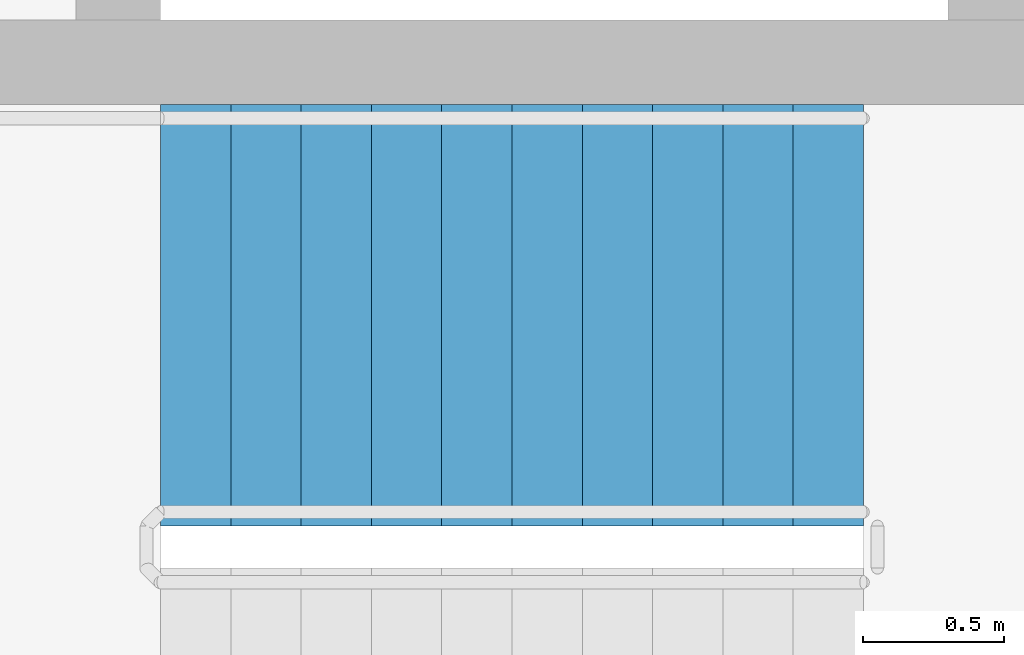
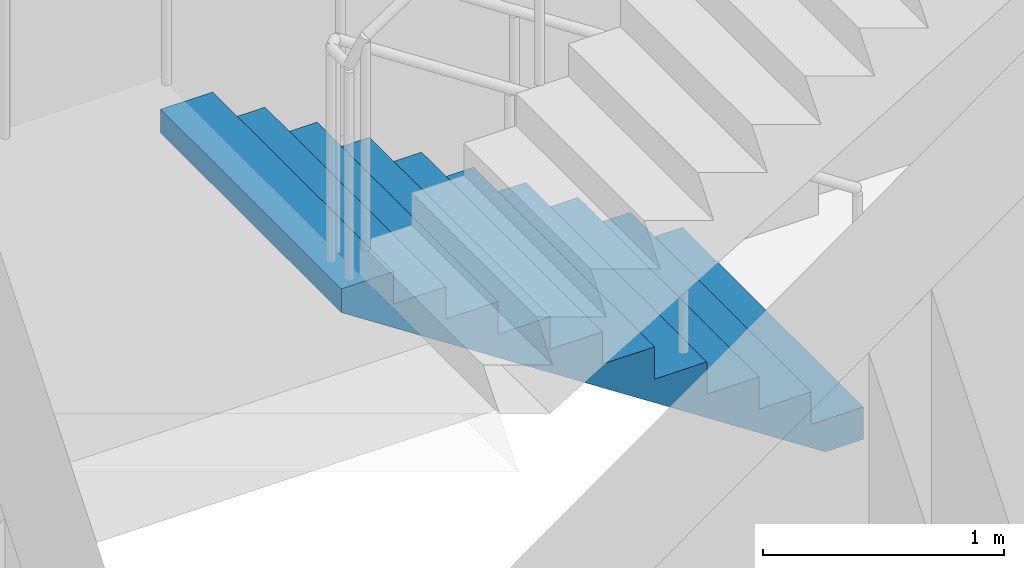
# One storey, part 11 of 12: 1 stair flight, 1 element without a shape of its own.
"""IFC4 building model written with IfcOpenShell, lengths in metres."""

import ifcopenshell
import ifcopenshell.guid

model = None  # the IFC model being written
_history = None  # IfcOwnerHistory: only IFC2X3 demands one
_inside = {}  # id of a spatial element -> (the spatial element, [elements in it])
_under = {}  # id of a project, library or spatial element -> (it, [spatial elements below it])
_declared = {}  # id of a project -> (the project, [libraries it declares])
_typed = {}  # id of a type object -> (the type object, [elements of that type])
_made_of = {}  # id of a material, layer set ... -> (it, [elements and type objects made of it])


def new_model(schema):
    """Start an empty IFC model of exactly this schema.

    Asked for "IFC4X3", IfcOpenShell would pick the latest addendum, in which some entities
    have other attributes; the version numbers below select the first issue.
    IFC2X3 requires an IfcOwnerHistory on every rooted entity: one is made here for all.
    """
    global model, _history
    if schema == "IFC4X3":
        model = ifcopenshell.file(schema_version=(4, 3, 0, 0))
    else:
        model = ifcopenshell.file(schema=schema)
    _inside.clear()
    _under.clear()
    _declared.clear()
    _typed.clear()
    _made_of.clear()
    _history = None
    if model.schema == "IFC2X3":
        org = make("IfcOrganization", Name="unknown")
        user = make(
            "IfcPersonAndOrganization",
            ThePerson=make("IfcPerson", FamilyName="unknown"),
            TheOrganization=org,
        )
        app = make(
            "IfcApplication",
            ApplicationDeveloper=org,
            Version="unknown",
            ApplicationFullName="unknown",
            ApplicationIdentifier="unknown",
        )
        _history = make(
            "IfcOwnerHistory",
            OwningUser=user,
            OwningApplication=app,
            ChangeAction="ADDED",
            CreationDate=0,
        )
    return model


def make(cls, **values):
    """One entity of the class cls with the attributes given. An attribute that is None is left unset."""
    return model.create_entity(
        cls, **{name: value for name, value in values.items() if value is not None}
    )


def rooted(cls, **values):
    """An entity with a GlobalId (a new one), such as an element, a storey or a relation."""
    return make(cls, GlobalId=ifcopenshell.guid.new(), OwnerHistory=_history, **values)


def si_unit(unit_type, name, prefix=None):
    """IfcSIUnit, for example si_unit("LENGTHUNIT", "METRE", prefix="MILLI")."""
    return make("IfcSIUnit", UnitType=unit_type, Prefix=prefix, Name=name)


def assignment(units):
    """IfcUnitAssignment: the units of a project."""
    return None if units is None else make("IfcUnitAssignment", Units=units)


def point(xyz):
    """IfcCartesianPoint."""
    return None if xyz is None else make("IfcCartesianPoint", Coordinates=xyz)


def direction(xyz):
    """IfcDirection."""
    return None if xyz is None else make("IfcDirection", DirectionRatios=xyz)


def frame(location, z_axis=None, x_axis=None):
    """IfcAxis2Placement3D, a coordinate frame: its origin and axes. An axis left out is left unset."""
    return make(
        "IfcAxis2Placement3D",
        Location=point(location),
        Axis=direction(z_axis),
        RefDirection=direction(x_axis),
    )


def origin():
    """The frame at (0, 0, 0) with its axes left unset."""
    return frame((0.0, 0.0, 0.0))


def place(relative_to, where):
    """IfcLocalPlacement: puts the frame where relative to a parent placement (None: the world)."""
    return make(
        "IfcLocalPlacement", PlacementRelTo=relative_to, RelativePlacement=where
    )


def context(
    kind, dimensions, precision=None, world=None, true_north=None, identifier=None
):
    """IfcGeometricRepresentationContext, for example the 3D "Model" context."""
    return make(
        "IfcGeometricRepresentationContext",
        ContextIdentifier=identifier,
        ContextType=kind,
        CoordinateSpaceDimension=dimensions,
        Precision=precision,
        WorldCoordinateSystem=world,
        TrueNorth=true_north,
    )


def subcontext(parent, identifier, kind, view, scale=None):
    """IfcGeometricRepresentationSubContext, for example "Body" below "Model"."""
    return make(
        "IfcGeometricRepresentationSubContext",
        ContextIdentifier=identifier,
        ContextType=kind,
        ParentContext=parent,
        TargetScale=scale,
        TargetView=view,
    )


def project(units=None, contexts=None):
    """IfcProject with its units and contexts."""
    return rooted(
        "IfcProject",
        Name="project",
        RepresentationContexts=contexts,
        UnitsInContext=assignment(units),
    )


def spatial(cls, under=None, at=None, **own):
    """A site, building, storey or space (cls), placed at a placement, below another one or the project."""
    s = rooted(cls, ObjectPlacement=at, **own)
    if under is not None:
        _under.setdefault(under.id(), (under, []))[1].append(s)
    return s


def polyline(points):
    """IfcPolyline through the points."""
    return make("IfcPolyline", Points=[point(p) for p in points])


def outline(outer, holes=None, kind="AREA"):
    """IfcArbitraryClosedProfileDef: a profile drawn as a closed curve; with holes, ...WithVoids."""
    if holes is None:
        return make("IfcArbitraryClosedProfileDef", ProfileType=kind, OuterCurve=outer)
    return make(
        "IfcArbitraryProfileDefWithVoids",
        ProfileType=kind,
        OuterCurve=outer,
        InnerCurves=holes,
    )


def extrude(swept, where, along, depth):
    """IfcExtrudedAreaSolid: the profile swept, set in the frame where, extruded along a direction by depth."""
    return make(
        "IfcExtrudedAreaSolid",
        SweptArea=swept,
        Position=where,
        ExtrudedDirection=direction(along),
        Depth=depth,
    )


def shape(context_of_items, identifier, shape_type, items):
    """IfcShapeRepresentation: the items that make up one representation, for example the "Body"."""
    return make(
        "IfcShapeRepresentation",
        ContextOfItems=context_of_items,
        RepresentationIdentifier=identifier,
        RepresentationType=shape_type,
        Items=items,
    )


def material(Name=None, Category=None):
    """IfcMaterial."""
    return make("IfcMaterial", Name=Name, Category=Category)


def made_of(thing, what):
    """Note that an element or type object is made of a material, layer set ...; save() writes the relation."""
    if what is not None:
        _made_of.setdefault(what.id(), (what, []))[1].append(thing)
    return thing


def type_object(cls, material=None, **own):
    """A type object (cls), such as IfcWallType, which elements share."""
    return made_of(rooted(cls, **own), material)


def element(
    cls,
    number,
    at=None,
    inside=None,
    cuts=None,
    type_object=None,
    material=None,
    context=None,
    identifier="Body",
    shape_type=None,
    held_by="IfcProductDefinitionShape",
    body=None,
    shapes=None,
    **own,
):
    """One element of the class cls, such as IfcWall. Its Tag is "e" and its number.

    at: its placement. inside: the storey or other place that contains it. cuts: it is an
    opening in that element (IfcRelVoidsElement). A single representation is given by context,
    identifier, shape_type and body (its items); several are given by shapes. held_by: the class
    of the entity that holds the representations. save() writes the other relations.
    """
    e = rooted(cls, Tag="e%d" % number, ObjectPlacement=at, **own)
    if body is not None:
        shapes = [shape(context, identifier, shape_type, body)]
    if shapes is not None:
        e.Representation = make(held_by, Representations=shapes)
    if inside is not None:
        _inside.setdefault(inside.id(), (inside, []))[1].append(e)
    if cuts is not None:
        rooted(
            "IfcRelVoidsElement", RelatingBuildingElement=cuts, RelatedOpeningElement=e
        )
    if type_object is not None:
        _typed.setdefault(type_object.id(), (type_object, []))[1].append(e)
    return made_of(e, material)


def aggregate(whole, parts):
    """IfcRelAggregates: a whole, such as a stair, and the parts it consists of."""
    return rooted("IfcRelAggregates", RelatingObject=whole, RelatedObjects=parts)


def save(model, path):
    """Write the relations noted so far, then the file.

    IfcRelAggregates (storeys below a building ...), IfcRelContainedInSpatialStructure (elements
    in a storey), IfcRelDefinesByType, IfcRelAssociatesMaterial and IfcRelDeclares: one each for
    every whole, place, type object, material and project.
    """
    for whole, parts in _under.values():
        aggregate(whole, parts)
    for where, things in _inside.values():
        rooted(
            "IfcRelContainedInSpatialStructure",
            RelatedElements=things,
            RelatingStructure=where,
        )
    for kind, things in _typed.values():
        rooted("IfcRelDefinesByType", RelatedObjects=things, RelatingType=kind)
    for what, things in _made_of.values():
        rooted("IfcRelAssociatesMaterial", RelatedObjects=things, RelatingMaterial=what)
    for by, libraries in _declared.values():
        rooted("IfcRelDeclares", RelatingContext=by, RelatedDefinitions=libraries)
    model.write(path)


model = new_model("IFC4")

# Units and contexts
model_context = context("Model", 3, precision=1e-05, world=origin(), true_north=direction((0.0, 1.0)))
body_context = subcontext(model_context, "Body", "Model", "MODEL_VIEW")
ifc_project = project(units=[si_unit("LENGTHUNIT", "METRE"), si_unit("AREAUNIT", "SQUARE_METRE"), si_unit("VOLUMEUNIT", "CUBIC_METRE"), si_unit("PLANEANGLEUNIT", "RADIAN"), si_unit("MASSUNIT", "GRAM", prefix="KILO")], contexts=[model_context])

# Site, building, storey
site_placement = place(None, origin())
site = spatial("IfcSite", under=ifc_project, at=site_placement, CompositionType="ELEMENT")
building_placement = place(site_placement, origin())
building = spatial("IfcBuilding", under=site, at=building_placement, Name="Tracery Tower", CompositionType="ELEMENT")
storey_placement = place(building_placement, frame((0.0, 0.0, 75.0)))
storey = spatial("IfcBuildingStorey", under=building, at=storey_placement, Name="L18", CompositionType="ELEMENT", Elevation=75.0)

# Stair, stair flight
ifc_material_1 = material(Name="Concrete C32/40", Category="concrete")
stair_type = type_object("IfcStairType", Name="Core stair 22 risers", PredefinedType="HALF_TURN_STAIR", material=ifc_material_1)
stair_placement = place(storey_placement, origin())
stair = element("IfcStair", 1, at=stair_placement, inside=storey, type_object=stair_type, Name="L18 stair ST3", PredefinedType="HALF_TURN_STAIR")
ifc_material_2 = material(Name="Concrete C32/40", Category="concrete")
stair_flight_type = type_object("IfcStairFlightType", Name="Core stair flight 11 risers", PredefinedType="STRAIGHT", material=ifc_material_2)
stair_flight_placement = place(storey_placement, frame((-4.800048828125, 5.64990234375, 0.0), z_axis=(0.0, 0.0, 1.0), x_axis=(-1.0, 0.0, 0.0)))
stair_flight = element("IfcStairFlight", 2, at=stair_flight_placement, type_object=stair_flight_type, Name="ST3 flight 1", NumberOfRisers=11, NumberOfTreads=10, PredefinedType="STRAIGHT", RiserHeight=0.163636364, TreadLength=0.25, context=body_context, shape_type="SweptSolid", body=[
    extrude(outline(polyline([(0.0, 0.0), (0.0, 0.002685546875), (0.0, 0.00537109375), (0.0, 0.008056640625), (0.0, 0.0107421875), (0.0, 0.013427734375), (0.0, 0.01611328125), (0.0, 0.018798828125), (0.0, 0.021484375), (0.0, 0.024169921875), (0.0, 0.02685546875), (0.0, 0.029541015625), (0.0, 0.0322265625), (0.0, 0.034912109375), (0.0, 0.03759765625), (0.0, 0.040283203125), (0.0, 0.04296875), (0.0, 0.045654296875), (0.0, 0.04833984375), (0.0, 0.051025390625), (0.0, 0.0537109375), (0.0, 0.056396484375), (0.0, 0.05908203125), (0.0, 0.061767578125), (0.0, 0.064453125), (0.0, 0.067138671875), (0.0, 0.06982421875), (0.0, 0.072509765625), (0.0, 0.0751953125), (0.0, 0.077880859375), (0.0, 0.08056640625), (0.0, 0.083251953125), (0.0, 0.0859375), (0.0, 0.088623046875), (0.0, 0.09130859375), (0.0, 0.093994140625), (0.0, 0.0966796875), (0.0, 0.099365234375), (0.0, 0.10205078125), (0.0, 0.104736328125), (0.0, 0.107421875), (0.0, 0.10986328125), (0.0, 0.112548828125), (0.0, 0.115234375), (0.0, 0.117919921875), (0.0, 0.12060546875), (0.0, 0.123291015625), (0.0, 0.1259765625), (0.0, 0.128662109375), (0.0, 0.13134765625), (0.0, 0.134033203125), (0.0, 0.13671875), (0.0, 0.139404296875), (0.0, 0.14208984375), (0.0, 0.144775390625), (0.0, 0.1474609375), (0.0, 0.150146484375), (0.0, 0.15283203125), (0.0, 0.155517578125), (0.0, 0.158203125), (0.0, 0.160888671875), (0.0, 0.16357421875), (0.25, 0.16357421875), (0.25, 0.327392578125), (0.5, 0.327392578125), (0.5, 0.490966796875), (0.75, 0.490966796875), (0.75, 0.654541015625), (1.0, 0.654541015625), (1.0, 0.818115234375), (1.25, 0.818115234375), (1.25, 0.98193359375), (1.5, 0.98193359375), (1.5, 1.1455078125), (1.75, 1.1455078125), (1.75, 1.30908203125), (2.0, 1.30908203125), (2.0, 1.47265625), (2.25, 1.47265625), (2.25, 1.636474609375), (2.5, 1.636474609375), (2.5, 1.634521484375), (2.5, 1.63232421875), (2.5, 1.63037109375), (2.5, 1.62841796875), (2.5, 1.62646484375), (2.5, 1.62451171875), (2.5, 1.62255859375), (2.5, 1.62060546875), (2.5, 1.61865234375), (2.5, 1.61669921875), (2.5, 1.61474609375), (2.5, 1.61279296875), (2.5, 1.61083984375), (2.5, 1.60888671875), (2.5, 1.60693359375), (2.5, 1.60498046875), (2.5, 1.60302734375), (2.5, 1.60107421875), (2.5, 1.59912109375), (2.5, 1.59716796875), (2.5, 1.59521484375), (2.5, 1.59326171875), (2.5, 1.59130859375), (2.5, 1.58935546875), (2.5, 1.58740234375), (2.5, 1.58544921875), (2.5, 1.58349609375), (2.5, 1.58154296875), (2.5, 1.57958984375), (2.5, 1.57763671875), (2.5, 1.57568359375), (2.5, 1.573486328125), (2.5, 1.571533203125), (2.5, 1.569580078125), (2.5, 1.567626953125), (2.5, 1.565673828125), (2.5, 1.563720703125), (2.5, 1.561767578125), (2.5, 1.559814453125), (2.5, 1.557861328125), (2.5, 1.555908203125), (2.5, 1.553955078125), (2.5, 1.552001953125), (2.5, 1.550048828125), (2.5, 1.548095703125), (2.5, 1.546142578125), (2.5, 1.544189453125), (2.5, 1.542236328125), (2.5, 1.540283203125), (2.5, 1.538330078125), (2.5, 1.536376953125), (2.5, 1.534423828125), (2.5, 1.532470703125), (2.5, 1.530517578125), (2.5, 1.528564453125), (2.5, 1.526611328125), (2.5, 1.524658203125), (2.5, 1.522705078125), (2.5, 1.520751953125), (2.5, 1.518798828125), (2.5, 1.516845703125), (0.182861328125, 0.0), (0.0, 0.0)])), frame((0.0, 0.75, 0.0), z_axis=(0.0, -1.0, 0.0), x_axis=(1.0, 0.0, 0.0)), (0.0, 0.0, 1.0), 1.5),
])
aggregate(stair, [stair_flight])

save(model, "model.ifc")
